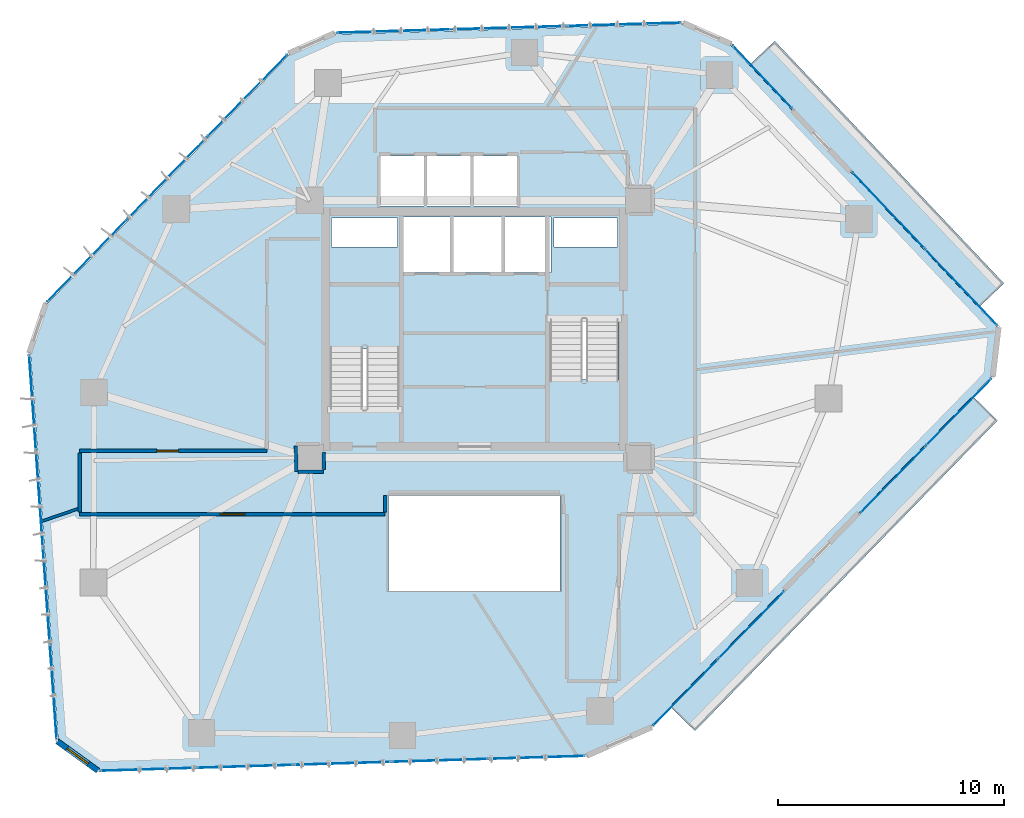
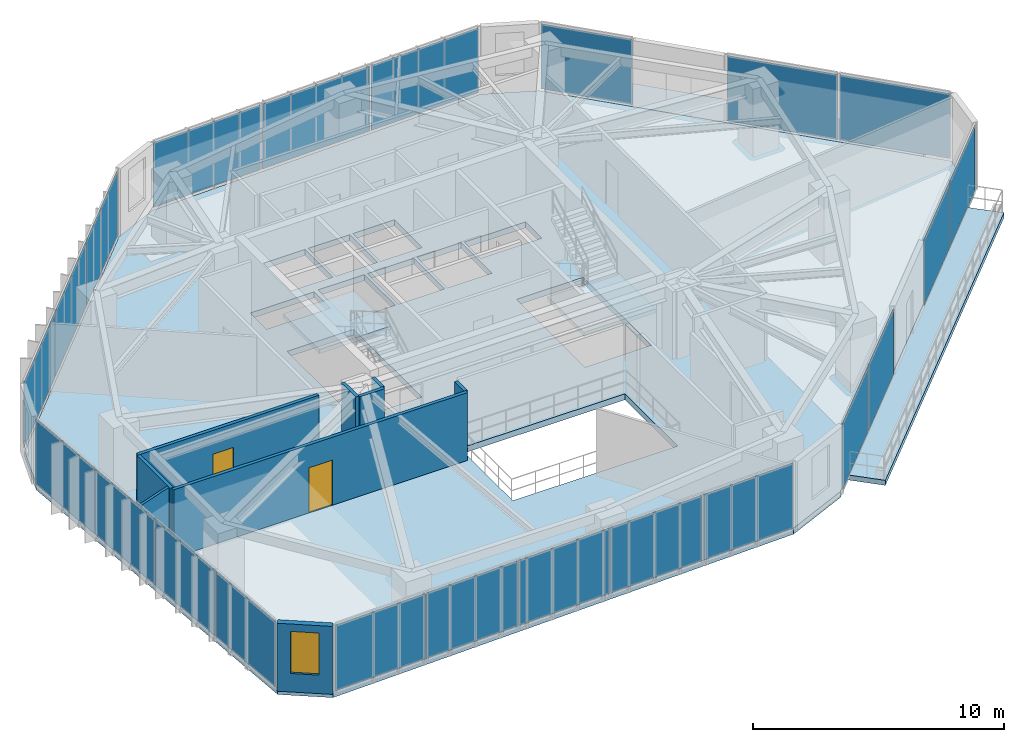
# One storey, part 17 of 23: 22 plates, 9 walls, 5 slabs, 2 doors, 1 window, 3 openings, 10 elements without a shape of their own.
"""IFC4 building model written with IfcOpenShell, lengths in metres."""

from ifc_helpers import new_model, si_unit, direction, frame, frame_2d, origin, origin_2d, place, context, subcontext, project, spatial, polyline, rectangle, outline, extrude, source, transform, mapped, material, layer, layer_set, type_object, type_shapes, element, fill, aggregate, save


model = new_model("IFC4")

# Units and contexts
model_context = context("Model", 3, precision=1e-05, world=origin(), true_north=direction((0.0, 1.0)))
body_context = subcontext(model_context, "Body", "Model", "MODEL_VIEW")
ifc_project = project(units=[si_unit("LENGTHUNIT", "METRE"), si_unit("AREAUNIT", "SQUARE_METRE"), si_unit("VOLUMEUNIT", "CUBIC_METRE"), si_unit("PLANEANGLEUNIT", "RADIAN"), si_unit("MASSUNIT", "GRAM", prefix="KILO")], contexts=[model_context])

# Site, building, storey
site_placement = place(None, origin())
site = spatial("IfcSite", under=ifc_project, at=site_placement, CompositionType="ELEMENT")
building_placement = place(site_placement, origin())
building = spatial("IfcBuilding", under=site, at=building_placement, Name="Talar Marvaseh", CompositionType="ELEMENT")
storey_placement = place(building_placement, frame((0.0, 0.0, 96.60009765625)))
storey = spatial("IfcBuildingStorey", under=building, at=storey_placement, Name="L24", CompositionType="ELEMENT", Elevation=96.60009765625)

# Slabs
ifc_material_1 = material(Name="Concrete C40/50", Category="concrete")
ifc_layer_1 = layer(ifc_material_1, 0.2451171875)
ifc_layer_set_1 = layer_set([ifc_layer_1], Name="Concrete C40/50")
slab_type_1 = type_object("IfcSlabType", Name="External Cantilevered Planted Terrace Slab 245", PredefinedType="FLOOR", material=ifc_layer_set_1)
slab_1_placement = place(storey_placement, frame((0.0, 0.0, -0.2451171875)))
element("IfcSlab", 1, at=slab_1_placement, inside=storey, type_object=slab_type_1, Name="L24 Planted Balcony Terrace 1", PredefinedType="FLOOR", context=body_context, shape_type="SweptSolid", body=[
    extrude(outline(polyline([(38.192138671875, 42.9111328125), (48.35595703125, 32.16455078125), (49.482177734375, 33.229736328125), (39.318115234375, 43.976318359375), (38.192138671875, 42.9111328125)])), origin(), (0.0, 0.0, 1.0), 0.2451171875),
])
slab_2_placement = place(storey_placement, frame((0.0, 0.0, -0.2451171875)))
element("IfcSlab", 2, at=slab_2_placement, inside=storey, type_object=slab_type_1, Name="L24 Planted Balcony Terrace 2", PredefinedType="FLOOR", context=body_context, shape_type="SweptSolid", body=[
    extrude(outline(polyline([(48.085205078125, 28.23193359375), (34.67333984375, 14.46826171875), (35.783447265625, 13.386474609375), (49.1953125, 27.150146484375), (48.085205078125, 28.23193359375)])), origin(), (0.0, 0.0, 1.0), 0.2451171875),
])

# Stair, slab
stair_type = type_object("IfcStairType", Name="Reinforced Concrete Half-Turn Exit Stair Type B", PredefinedType="HALF_TURN_STAIR", material=ifc_material_1)
stair_1_placement = place(storey_placement, origin())
stair_1 = element("IfcStair", 3, at=stair_1_placement, inside=storey, type_object=stair_type, Name="L24 Tower West Core Exit Stair", PredefinedType="HALF_TURN_STAIR")
ifc_layer_2 = layer(ifc_material_1, 0.199951171875)
ifc_layer_set_2 = layer_set([ifc_layer_2], Name="Concrete C40/50")
slab_type_2 = type_object("IfcSlabType", Name="Reinforced Concrete Stair Half-Landing Slab 200", PredefinedType="LANDING", material=ifc_layer_set_2)
slab_3_placement = place(storey_placement, frame((0.0, 0.0, 1.599853515625)))
slab_3 = element("IfcSlab", 4, at=slab_3_placement, type_object=slab_type_2, Name="ST-1 landing 1", PredefinedType="LANDING", context=body_context, shape_type="SweptSolid", body=[
    extrude(outline(polyline([(22.780029296875, 30.330078125), (22.780029296875, 33.219970703125), (19.47998046875, 33.219970703125), (19.47998046875, 30.330078125), (22.780029296875, 30.330078125)])), origin(), (0.0, 0.0, 1.0), 0.199951171875),
])
aggregate(stair_1, [slab_3])

stair_2_placement = place(storey_placement, origin())
stair_2 = element("IfcStair", 5, at=stair_2_placement, inside=storey, type_object=stair_type, Name="L24 Tower East Core Exit Stair", PredefinedType="HALF_TURN_STAIR")
slab_4_placement = place(storey_placement, frame((0.0, 0.0, 1.599853515625)))
slab_4 = element("IfcSlab", 6, at=slab_4_placement, type_object=slab_type_2, Name="ST-2 landing 1", PredefinedType="LANDING", context=body_context, shape_type="SweptSolid", body=[
    extrude(outline(polyline([(29.219970703125, 28.969970703125), (29.219970703125, 26.080078125), (32.52001953125, 26.080078125), (32.52001953125, 28.969970703125), (29.219970703125, 28.969970703125)])), origin(), (0.0, 0.0, 1.0), 0.199951171875),
])
aggregate(stair_2, [slab_4])

# Slab
ifc_layer_3 = layer(ifc_material_1, 0.2900390625)
ifc_layer_set_3 = layer_set([ifc_layer_3], Name="Concrete C40/50")
slab_type_3 = type_object("IfcSlabType", Name="Structural Suspended Floor Slab 290", PredefinedType="FLOOR", material=ifc_layer_set_3)
slab_5_placement = place(storey_placement, frame((0.0, 0.0, -0.2900390625)))
element("IfcSlab", 7, at=slab_5_placement, inside=storey, type_object=slab_type_3, Name="L24 Tower Floor Slab", PredefinedType="FLOOR", context=body_context, shape_type="SweptSolid", body=[
    extrude(outline(polyline([(9.34033203125, 11.674560546875), (7.543212890625, 12.971923828125), (6.315185546875, 30.11962890625), (7.0625, 32.337890625), (17.788818359375, 43.37451171875), (19.843505859375, 44.27880859375), (35.22705078125, 44.73046875), (37.367431640625, 43.782958984375), (49.180419921875, 31.292724609375), (48.9228515625, 29.09130859375), (33.835693359375, 13.60888671875), (30.94775390625, 12.338134765625), (9.34033203125, 11.674560546875)]), holes=[polyline([(22.659912109375, 27.64990234375), (22.659912109375, 33.10009765625), (19.60009765625, 33.10009765625), (19.60009765625, 27.64990234375), (22.659912109375, 27.64990234375)]), polyline([(29.340087890625, 31.64990234375), (29.340087890625, 26.199951171875), (32.39990234375, 26.199951171875), (32.39990234375, 31.64990234375), (29.340087890625, 31.64990234375)]), polyline([(22.800048828125, 33.719970703125), (24.93994140625, 33.719970703125), (24.93994140625, 36.179931640625), (22.800048828125, 36.179931640625), (22.800048828125, 33.719970703125)]), polyline([(25.080078125, 33.719970703125), (27.219970703125, 33.719970703125), (27.219970703125, 36.179931640625), (25.080078125, 36.179931640625), (25.080078125, 33.719970703125)]), polyline([(27.360107421875, 33.719970703125), (29.39990234375, 33.719970703125), (29.39990234375, 36.179931640625), (27.360107421875, 36.179931640625), (27.360107421875, 33.719970703125)]), polyline([(21.840087890625, 36.659912109375), (23.760009765625, 36.659912109375), (23.760009765625, 38.8798828125), (21.840087890625, 38.8798828125), (21.840087890625, 36.659912109375)]), polyline([(23.89990234375, 36.659912109375), (25.820068359375, 36.659912109375), (25.820068359375, 38.8798828125), (23.89990234375, 38.8798828125), (23.89990234375, 36.659912109375)]), polyline([(25.9599609375, 36.659912109375), (27.8798828125, 36.659912109375), (27.8798828125, 38.8798828125), (25.9599609375, 38.8798828125), (25.9599609375, 36.659912109375)]), polyline([(19.659912109375, 34.840087890625), (22.60009765625, 34.840087890625), (22.60009765625, 36.139892578125), (19.659912109375, 36.139892578125), (19.659912109375, 34.840087890625)]), polyline([(29.52001953125, 34.840087890625), (32.340087890625, 34.840087890625), (32.340087890625, 36.139892578125), (29.52001953125, 36.139892578125), (29.52001953125, 34.840087890625)]), polyline([(22.199951171875, 19.60009765625), (29.800048828125, 19.60009765625), (29.800048828125, 23.800048828125), (22.199951171875, 23.800048828125), (22.199951171875, 19.60009765625)])]), origin(), (0.0, 0.0, 1.0), 0.2900390625),
])

# Curtain wall, plates
ifc_material_2 = material(Name="Architectural Aluminium", Category="aluminium")
ifc_layer_4 = layer(ifc_material_2, 0.199951171875)
ifc_layer_set_4 = layer_set([ifc_layer_4], Name="Architectural Aluminium")
curtain_wall_type = type_object("IfcCurtainWallType", Name="Unitised Acoustic Library Curtain Wall Z2", PredefinedType="NOTDEFINED", material=ifc_layer_set_4)
curtain_wall_1_placement = place(storey_placement, origin())
curtain_wall_1 = element("IfcCurtainWall", 8, at=curtain_wall_1_placement, inside=storey, type_object=curtain_wall_type, Name="L24 Unitised Acoustic Library Curtain Wall Z2", PredefinedType="NOTDEFINED")
ifc_material_3 = material(Name="Laminated Low-E Solar Glass", Category="glass")
ifc_layer_5 = layer(ifc_material_3, 0.028076171875)
ifc_layer_set_5 = layer_set([ifc_layer_5], Name="Laminated Low-E Solar Glass")
plate_type = type_object("IfcPlateType", Name="Double-Glazed Low-E Vision Curtain Panel 28", PredefinedType="CURTAIN_PANEL", material=ifc_layer_set_5)
shared_shape_1 = source(origin(), body_context, "Body", "SweptSolid", [
    extrude(rectangle(XDim=4.185302734375, YDim=0.028076171875, at=origin_2d()), origin(), (0.0, 0.0, 1.0), 3.159912109375),
])
plate_1_placement = place(storey_placement, frame((7.328369140625, 15.1298828125, 0.07470703125), z_axis=(0.0, 0.0, 1.0), x_axis=(-0.071430174316, 0.997445602626, 0.0)))
plate_1 = element("IfcPlate", 9, at=plate_1_placement, type_object=plate_type, Name="CW-Z2 panel 1.1", PredefinedType="CURTAIN_PANEL", context=body_context, shape_type="MappedRepresentation", body=[
    mapped(shared_shape_1, transform((0.0, 0.0, 0.0), x_axis=(1.0, 0.0, 0.0), y_axis=(0.0, 1.0, 0.0), z_axis=(0.0, 0.0, 1.0), scale=1.0)),
])
plate_2_placement = place(storey_placement, frame((6.41015625, 27.953125, 0.07470703125), z_axis=(0.0, 0.0, 1.0), x_axis=(-0.071430174316, 0.997445602626, 0.0)))
plate_2 = element("IfcPlate", 10, at=plate_2_placement, type_object=plate_type, Name="CW-Z2 panel 4.1", PredefinedType="CURTAIN_PANEL", context=body_context, shape_type="MappedRepresentation", body=[
    mapped(shared_shape_1, transform((0.0, 0.0, 0.0), x_axis=(1.0, 0.0, 0.0), y_axis=(0.0, 1.0, 0.0), z_axis=(0.0, 0.0, 1.0), scale=1.0)),
])
shared_shape_2 = source(origin(), body_context, "Body", "SweptSolid", [
    extrude(rectangle(XDim=4.222900390625, YDim=0.028076171875, at=origin_2d()), origin(), (0.0, 0.0, 1.0), 3.159912109375),
])
plate_3_placement = place(storey_placement, frame((7.022705078125, 19.39794921875, 0.07470703125), z_axis=(0.0, 0.0, 1.0), x_axis=(-0.071430174316, 0.997445602626, 0.0)))
plate_3 = element("IfcPlate", 11, at=plate_3_placement, type_object=plate_type, Name="CW-Z2 panel 2.1", PredefinedType="CURTAIN_PANEL", context=body_context, shape_type="MappedRepresentation", body=[
    mapped(shared_shape_2, transform((0.0, 0.0, 0.0), x_axis=(1.0, 0.0, 0.0), y_axis=(0.0, 1.0, 0.0), z_axis=(0.0, 0.0, 1.0), scale=1.0)),
])
plate_4_placement = place(storey_placement, frame((6.7158203125, 23.684814453125, 0.07470703125), z_axis=(0.0, 0.0, 1.0), x_axis=(-0.071430174316, 0.997445602626, 0.0)))
plate_4 = element("IfcPlate", 12, at=plate_4_placement, type_object=plate_type, Name="CW-Z2 panel 3.1", PredefinedType="CURTAIN_PANEL", context=body_context, shape_type="MappedRepresentation", body=[
    mapped(shared_shape_2, transform((0.0, 0.0, 0.0), x_axis=(1.0, 0.0, 0.0), y_axis=(0.0, 1.0, 0.0), z_axis=(0.0, 0.0, 1.0), scale=1.0)),
])
aggregate(curtain_wall_1, [plate_1, plate_3, plate_4, plate_2])

curtain_wall_2_placement = place(storey_placement, origin())
curtain_wall_2 = element("IfcCurtainWall", 13, at=curtain_wall_2_placement, inside=storey, type_object=curtain_wall_type, Name="L24 Unitised Acoustic Library Curtain Wall Z2", PredefinedType="NOTDEFINED")
shared_shape_3 = source(origin(), body_context, "Body", "SweptSolid", [
    extrude(rectangle(XDim=5.017578125, YDim=0.028076171875, at=origin_2d()), origin(), (0.0, 0.0, 1.0), 3.159912109375),
])
plate_5_placement = place(storey_placement, frame((8.8203125, 34.232421875, 0.07470703125), z_axis=(0.0, 0.0, 1.0), x_axis=(0.696943933137, 0.717125619445, 0.0)))
plate_5 = element("IfcPlate", 14, at=plate_5_placement, type_object=plate_type, Name="CW-Z2 panel 1.1", PredefinedType="CURTAIN_PANEL", context=body_context, shape_type="MappedRepresentation", body=[
    mapped(shared_shape_3, transform((0.0, 0.0, 0.0), x_axis=(1.0, 0.0, 0.0), y_axis=(0.0, 1.0, 0.0), z_axis=(0.0, 0.0, 1.0), scale=1.0)),
])
plate_6_placement = place(storey_placement, frame((15.945068359375, 41.5634765625, 0.07470703125), z_axis=(0.0, 0.0, 1.0), x_axis=(0.696943933137, 0.717125619445, 0.0)))
plate_6 = element("IfcPlate", 15, at=plate_6_placement, type_object=plate_type, Name="CW-Z2 panel 3.1", PredefinedType="CURTAIN_PANEL", context=body_context, shape_type="MappedRepresentation", body=[
    mapped(shared_shape_3, transform((0.0, 0.0, 0.0), x_axis=(1.0, 0.0, 0.0), y_axis=(0.0, 1.0, 0.0), z_axis=(0.0, 0.0, 1.0), scale=1.0)),
])

curtain_wall_3_placement = place(storey_placement, origin())
curtain_wall_3 = element("IfcCurtainWall", 16, at=curtain_wall_3_placement, inside=storey, type_object=curtain_wall_type, Name="L24 Unitised Acoustic Library Curtain Wall Z2", PredefinedType="NOTDEFINED")
plate_7_placement = place(storey_placement, frame((22.424560546875, 44.41455078125, 0.07470703125), z_axis=(0.0, 0.0, 1.0), x_axis=(0.999569005917, 0.029356471338, 0.0)))
plate_7 = element("IfcPlate", 17, at=plate_7_placement, type_object=plate_type, Name="CW-Z2 panel 1.1", PredefinedType="CURTAIN_PANEL", context=body_context, shape_type="MappedRepresentation", body=[
    mapped(shared_shape_3, transform((0.0, 0.0, 0.0), x_axis=(1.0, 0.0, 0.0), y_axis=(0.0, 1.0, 0.0), z_axis=(0.0, 0.0, 1.0), scale=1.0)),
])
plate_8_placement = place(storey_placement, frame((32.642578125, 44.714599609375, 0.07470703125), z_axis=(0.0, 0.0, 1.0), x_axis=(0.999569005917, 0.029356471338, 0.0)))
plate_8 = element("IfcPlate", 18, at=plate_8_placement, type_object=plate_type, Name="CW-Z2 panel 3.1", PredefinedType="CURTAIN_PANEL", context=body_context, shape_type="MappedRepresentation", body=[
    mapped(shared_shape_3, transform((0.0, 0.0, 0.0), x_axis=(1.0, 0.0, 0.0), y_axis=(0.0, 1.0, 0.0), z_axis=(0.0, 0.0, 1.0), scale=1.0)),
])
shared_shape_4 = source(origin(), body_context, "Body", "SweptSolid", [
    extrude(rectangle(XDim=5.054931640625, YDim=0.028076171875, at=origin_2d()), origin(), (0.0, 0.0, 1.0), 3.159912109375),
])
plate_9_placement = place(storey_placement, frame((27.533447265625, 44.564697265625, 0.07470703125), z_axis=(0.0, 0.0, 1.0), x_axis=(0.999569005917, 0.029356471338, 0.0)))
plate_9 = element("IfcPlate", 19, at=plate_9_placement, type_object=plate_type, Name="CW-Z2 panel 2.1", PredefinedType="CURTAIN_PANEL", context=body_context, shape_type="MappedRepresentation", body=[
    mapped(shared_shape_4, transform((0.0, 0.0, 0.0), x_axis=(1.0, 0.0, 0.0), y_axis=(0.0, 1.0, 0.0), z_axis=(0.0, 0.0, 1.0), scale=1.0)),
])
aggregate(curtain_wall_3, [plate_7, plate_9, plate_8])

# Plate
shared_shape_5 = source(origin(), body_context, "Body", "SweptSolid", [
    extrude(rectangle(XDim=5.05517578125, YDim=0.028076171875, at=origin_2d()), origin(), (0.0, 0.0, 1.0), 3.159912109375),
])
plate_10_placement = place(storey_placement, frame((12.382568359375, 37.89794921875, 0.07470703125), z_axis=(0.0, 0.0, 1.0), x_axis=(0.696943933137, 0.717125619445, 0.0)))
plate_10 = element("IfcPlate", 20, at=plate_10_placement, type_object=plate_type, Name="CW-Z2 panel 2.1", PredefinedType="CURTAIN_PANEL", context=body_context, shape_type="MappedRepresentation", body=[
    mapped(shared_shape_5, transform((0.0, 0.0, 0.0), x_axis=(1.0, 0.0, 0.0), y_axis=(0.0, 1.0, 0.0), z_axis=(0.0, 0.0, 1.0), scale=1.0)),
])

aggregate(curtain_wall_2, [plate_5, plate_10, plate_6])

# Curtain wall, plates
curtain_wall_4_placement = place(storey_placement, origin())
curtain_wall_4 = element("IfcCurtainWall", 21, at=curtain_wall_4_placement, inside=storey, type_object=curtain_wall_type, Name="L24 Unitised Acoustic Library Curtain Wall Z2", PredefinedType="NOTDEFINED")
shared_shape_6 = source(origin(), body_context, "Body", "SweptSolid", [
    extrude(rectangle(XDim=4.2109375, YDim=0.028076171875, at=origin_2d()), origin(), (0.0, 0.0, 1.0), 3.159912109375),
])
plate_11_placement = place(storey_placement, frame((28.77001953125, 12.211181640625, 0.07470703125), z_axis=(0.0, 0.0, 1.0), x_axis=(-0.999528871, -0.030692605579, 0.0)))
plate_11 = element("IfcPlate", 22, at=plate_11_placement, type_object=plate_type, Name="CW-Z2 panel 1.1", PredefinedType="CURTAIN_PANEL", context=body_context, shape_type="MappedRepresentation", body=[
    mapped(shared_shape_6, transform((0.0, 0.0, 0.0), x_axis=(1.0, 0.0, 0.0), y_axis=(0.0, 1.0, 0.0), z_axis=(0.0, 0.0, 1.0), scale=1.0)),
])
plate_12_placement = place(storey_placement, frame((11.521728515625, 11.681640625, 0.07470703125), z_axis=(0.0, 0.0, 1.0), x_axis=(-0.999528871, -0.030692605579, 0.0)))
plate_12 = element("IfcPlate", 23, at=plate_12_placement, type_object=plate_type, Name="CW-Z2 panel 5.1", PredefinedType="CURTAIN_PANEL", context=body_context, shape_type="MappedRepresentation", body=[
    mapped(shared_shape_6, transform((0.0, 0.0, 0.0), x_axis=(1.0, 0.0, 0.0), y_axis=(0.0, 1.0, 0.0), z_axis=(0.0, 0.0, 1.0), scale=1.0)),
])
shared_shape_7 = source(origin(), body_context, "Body", "SweptSolid", [
    extrude(rectangle(XDim=4.24853515625, YDim=0.028076171875, at=origin_2d()), origin(), (0.0, 0.0, 1.0), 3.159912109375),
])
plate_13_placement = place(storey_placement, frame((24.46728515625, 12.0791015625, 0.07470703125), z_axis=(0.0, 0.0, 1.0), x_axis=(-0.999528871, -0.030692605579, 0.0)))
plate_13 = element("IfcPlate", 24, at=plate_13_placement, type_object=plate_type, Name="CW-Z2 panel 2.1", PredefinedType="CURTAIN_PANEL", context=body_context, shape_type="MappedRepresentation", body=[
    mapped(shared_shape_7, transform((0.0, 0.0, 0.0), x_axis=(1.0, 0.0, 0.0), y_axis=(0.0, 1.0, 0.0), z_axis=(0.0, 0.0, 1.0), scale=1.0)),
])
plate_14_placement = place(storey_placement, frame((20.14599609375, 11.9462890625, 0.07470703125), z_axis=(0.0, 0.0, 1.0), x_axis=(-0.999528871, -0.030692605579, 0.0)))
plate_14 = element("IfcPlate", 25, at=plate_14_placement, type_object=plate_type, Name="CW-Z2 panel 3.1", PredefinedType="CURTAIN_PANEL", context=body_context, shape_type="MappedRepresentation", body=[
    mapped(shared_shape_7, transform((0.0, 0.0, 0.0), x_axis=(1.0, 0.0, 0.0), y_axis=(0.0, 1.0, 0.0), z_axis=(0.0, 0.0, 1.0), scale=1.0)),
])
plate_15_placement = place(storey_placement, frame((15.824462890625, 11.813720703125, 0.07470703125), z_axis=(0.0, 0.0, 1.0), x_axis=(-0.999528871, -0.030692605579, 0.0)))
plate_15 = element("IfcPlate", 26, at=plate_15_placement, type_object=plate_type, Name="CW-Z2 panel 4.1", PredefinedType="CURTAIN_PANEL", context=body_context, shape_type="MappedRepresentation", body=[
    mapped(shared_shape_7, transform((0.0, 0.0, 0.0), x_axis=(1.0, 0.0, 0.0), y_axis=(0.0, 1.0, 0.0), z_axis=(0.0, 0.0, 1.0), scale=1.0)),
])
aggregate(curtain_wall_4, [plate_11, plate_13, plate_14, plate_15, plate_12])

# Curtain wall, plate
curtain_wall_5_placement = place(storey_placement, origin())
curtain_wall_5 = element("IfcCurtainWall", 27, at=curtain_wall_5_placement, inside=storey, type_object=curtain_wall_type, Name="L24 Unitised Acoustic Library Curtain Wall Z2", PredefinedType="NOTDEFINED")
shared_shape_8 = source(origin(), body_context, "Body", "SweptSolid", [
    extrude(rectangle(XDim=3.803955078125, YDim=0.028076171875, at=origin_2d()), origin(), (0.0, 0.0, 1.0), 3.159912109375),
])
plate_16_placement = place(storey_placement, frame((38.76953125, 42.387939453125, 0.07470703125), z_axis=(0.0, 0.0, 1.0), x_axis=(0.687143937714, -0.726521306545, 0.0)))
plate_16 = element("IfcPlate", 28, at=plate_16_placement, type_object=plate_type, Name="CW-Z2 panel 1.1", PredefinedType="CURTAIN_PANEL", context=body_context, shape_type="MappedRepresentation", body=[
    mapped(shared_shape_8, transform((0.0, 0.0, 0.0), x_axis=(1.0, 0.0, 0.0), y_axis=(0.0, 1.0, 0.0), z_axis=(0.0, 0.0, 1.0), scale=1.0)),
])
aggregate(curtain_wall_5, [plate_16])

# Curtain wall, plates
curtain_wall_6_placement = place(storey_placement, origin())
curtain_wall_6 = element("IfcCurtainWall", 29, at=curtain_wall_6_placement, inside=storey, type_object=curtain_wall_type, Name="L24 Unitised Acoustic Library Curtain Wall Z2", PredefinedType="NOTDEFINED")
shared_shape_9 = source(origin(), body_context, "Body", "SweptSolid", [
    extrude(rectangle(XDim=4.615234375, YDim=0.028076171875, at=origin_2d()), origin(), (0.0, 0.0, 1.0), 3.159912109375),
])
plate_17_placement = place(storey_placement, frame((44.3642578125, 36.47265625, 0.07470703125), z_axis=(0.0, 0.0, 1.0), x_axis=(0.687134531746, -0.726530202595, 0.0)))
plate_17 = element("IfcPlate", 30, at=plate_17_placement, type_object=plate_type, Name="CW-Z2 panel 1.1", PredefinedType="CURTAIN_PANEL", context=body_context, shape_type="MappedRepresentation", body=[
    mapped(shared_shape_9, transform((0.0, 0.0, 0.0), x_axis=(1.0, 0.0, 0.0), y_axis=(0.0, 1.0, 0.0), z_axis=(0.0, 0.0, 1.0), scale=1.0)),
])
plate_18_placement = place(storey_placement, frame((47.5869140625, 33.06494140625, 0.07470703125), z_axis=(0.0, 0.0, 1.0), x_axis=(0.687134531746, -0.726530202595, 0.0)))
plate_18 = element("IfcPlate", 31, at=plate_18_placement, type_object=plate_type, Name="CW-Z2 panel 2.1", PredefinedType="CURTAIN_PANEL", context=body_context, shape_type="MappedRepresentation", body=[
    mapped(shared_shape_9, transform((0.0, 0.0, 0.0), x_axis=(1.0, 0.0, 0.0), y_axis=(0.0, 1.0, 0.0), z_axis=(0.0, 0.0, 1.0), scale=1.0)),
])
aggregate(curtain_wall_6, [plate_17, plate_18])

curtain_wall_7_placement = place(storey_placement, origin())
curtain_wall_7 = element("IfcCurtainWall", 32, at=curtain_wall_7_placement, inside=storey, type_object=curtain_wall_type, Name="L24 Unitised Acoustic Library Curtain Wall Z2", PredefinedType="NOTDEFINED")
shared_shape_10 = source(origin(), body_context, "Body", "SweptSolid", [
    extrude(rectangle(XDim=4.10302734375, YDim=0.028076171875, at=origin_2d()), origin(), (0.0, 0.0, 1.0), 3.159912109375),
])
type_shapes(plate_type, [shared_shape_1, shared_shape_2, shared_shape_3, shared_shape_4, shared_shape_5, shared_shape_6, shared_shape_7, shared_shape_8, shared_shape_9, shared_shape_10])
plate_19_placement = place(storey_placement, frame((47.481689453125, 27.5263671875, 0.07470703125), z_axis=(0.0, 0.0, 1.0), x_axis=(-0.697896709245, -0.716198424478, 0.0)))
plate_19 = element("IfcPlate", 33, at=plate_19_placement, type_object=plate_type, Name="CW-Z2 panel 1.1", PredefinedType="CURTAIN_PANEL", context=body_context, shape_type="MappedRepresentation", body=[
    mapped(shared_shape_10, transform((0.0, 0.0, 0.0), x_axis=(1.0, 0.0, 0.0), y_axis=(0.0, 1.0, 0.0), z_axis=(0.0, 0.0, 1.0), scale=1.0)),
])
plate_20_placement = place(storey_placement, frame((44.56591796875, 24.5341796875, 0.07470703125), z_axis=(0.0, 0.0, 1.0), x_axis=(-0.697896709245, -0.716198424478, 0.0)))
plate_20 = element("IfcPlate", 34, at=plate_20_placement, type_object=plate_type, Name="CW-Z2 panel 2.1", PredefinedType="CURTAIN_PANEL", context=body_context, shape_type="MappedRepresentation", body=[
    mapped(shared_shape_10, transform((0.0, 0.0, 0.0), x_axis=(1.0, 0.0, 0.0), y_axis=(0.0, 1.0, 0.0), z_axis=(0.0, 0.0, 1.0), scale=1.0)),
])
aggregate(curtain_wall_7, [plate_19, plate_20])

curtain_wall_8_placement = place(storey_placement, origin())
curtain_wall_8 = element("IfcCurtainWall", 35, at=curtain_wall_8_placement, inside=storey, type_object=curtain_wall_type, Name="L24 Unitised Acoustic Library Curtain Wall Z2", PredefinedType="NOTDEFINED")
plate_21_placement = place(storey_placement, frame((38.278564453125, 18.08203125, 0.07470703125), z_axis=(0.0, 0.0, 1.0), x_axis=(-0.697896709245, -0.716198424478, 0.0)))
plate_21 = element("IfcPlate", 36, at=plate_21_placement, type_object=plate_type, Name="CW-Z2 panel 1.1", PredefinedType="CURTAIN_PANEL", context=body_context, shape_type="MappedRepresentation", body=[
    mapped(shared_shape_10, transform((0.0, 0.0, 0.0), x_axis=(1.0, 0.0, 0.0), y_axis=(0.0, 1.0, 0.0), z_axis=(0.0, 0.0, 1.0), scale=1.0)),
])
plate_22_placement = place(storey_placement, frame((35.36279296875, 15.08984375, 0.07470703125), z_axis=(0.0, 0.0, 1.0), x_axis=(-0.697896709245, -0.716198424478, 0.0)))
plate_22 = element("IfcPlate", 37, at=plate_22_placement, type_object=plate_type, Name="CW-Z2 panel 2.1", PredefinedType="CURTAIN_PANEL", context=body_context, shape_type="MappedRepresentation", body=[
    mapped(shared_shape_10, transform((0.0, 0.0, 0.0), x_axis=(1.0, 0.0, 0.0), y_axis=(0.0, 1.0, 0.0), z_axis=(0.0, 0.0, 1.0), scale=1.0)),
])
aggregate(curtain_wall_8, [plate_21, plate_22])

# Wall, opening, window
ifc_material_4 = material(Name="Precast concrete C45/55", Category="concrete")
ifc_layer_6 = layer(ifc_material_4, 0.2548828125)
ifc_layer_set_6 = layer_set([ifc_layer_6], Name="Precast concrete C45/55")
wall_type_1 = type_object("IfcWallType", Name="Chamfered Hexagonal Corner Pier Wall Z2 255", PredefinedType="SOLIDWALL", material=ifc_layer_set_6)
wall_1_placement = place(storey_placement, frame((9.305419921875, 11.6259765625, 0.0), z_axis=(0.0, 0.0, 1.0), x_axis=(-0.810888296006, 0.585200966678, 0.0)))
wall_1 = element("IfcWall", 38, at=wall_1_placement, inside=storey, type_object=wall_type_1, Name="L24 Chamfered Corner Limestone Pier 1", PredefinedType="SOLIDWALL", context=body_context, shape_type="SweptSolid", body=[
    extrude(rectangle(XDim=2.216552734375, YDim=0.2548828125, at=frame_2d((1.1083984375, 0.0))), origin(), (0.0, 0.0, 1.0), 3.309814453125),
])
opening_1_placement = place(wall_1_placement, frame((0.532958984375, 0.0, 0.89990234375)))
opening_1 = element("IfcOpeningElement", 39, at=opening_1_placement, cuts=wall_1, Name="Opening WN-CHM11", PredefinedType="OPENING", context=body_context, shape_type="SweptSolid", body=[
    extrude(rectangle(XDim=1.14990234375, YDim=2.050048828125, at=frame_2d((0.574951171875, 1.02490234375))), frame((0.0, 0.137451171875, 0.0), z_axis=(0.0, -1.0, 0.0), x_axis=(1.0, 0.0, 0.0)), (0.0, 0.0, 1.0), 0.27490234375),
])
window_type = type_object("IfcWindowType", Name="Zone 2 Chamfered Corner Slot Window 1150x2050", PartitioningType="SINGLE_PANEL", PredefinedType="WINDOW", material=ifc_material_3)
shared_shape_11 = source(origin(), body_context, "Body", "SweptSolid", [
    extrude(rectangle(XDim=1.14990234375, YDim=2.050048828125, at=frame_2d((0.574951171875, 1.02490234375))), frame((0.0, 0.030029296875, 0.0), z_axis=(0.0, -1.0, 0.0), x_axis=(1.0, 0.0, 0.0)), (0.0, 0.0, 1.0), 0.06005859375),
])
type_shapes(window_type, [shared_shape_11])
window_placement = place(opening_1_placement, origin())
window = element("IfcWindow", 40, at=window_placement, inside=storey, type_object=window_type, Name="L24 Chamfered Corner Slot Window", OverallHeight=2.050048828125, OverallWidth=1.14990234375, PartitioningType="SINGLE_PANEL", PredefinedType="WINDOW", context=body_context, shape_type="MappedRepresentation", body=[
    mapped(shared_shape_11, transform((0.0, 0.0, 0.0), x_axis=(1.0, 0.0, 0.0), y_axis=(0.0, 1.0, 0.0), z_axis=(0.0, 0.0, 1.0), scale=1.0)),
])
fill(opening_1, window)

# Wall, opening, door
ifc_material_5 = material(Name="Gypsum Board Partition Assembly")
ifc_layer_7 = layer(ifc_material_5, 0.155029296875)
ifc_layer_set_7 = layer_set([ifc_layer_7], Name="Gypsum Board Partition Assembly")
wall_type_2 = type_object("IfcWallType", Name="Corridor Fire-Rated Acoustic Partition 155", PredefinedType="PARTITIONING", material=ifc_layer_set_7)
wall_2_placement = place(storey_placement, frame((22.0400390625, 23.0, 0.0), z_axis=(0.0, 0.0, 1.0), x_axis=(-1.0, 0.0, 0.0)))
wall_2 = element("IfcWall", 41, at=wall_2_placement, inside=storey, type_object=wall_type_2, Name="L24 Interior Partition Wall", PredefinedType="PARTITIONING", context=body_context, shape_type="SweptSolid", body=[
    extrude(rectangle(XDim=13.5400390625, YDim=0.155029296875, at=frame_2d((6.77001953125, 0.0))), origin(), (0.0, 0.0, 1.0), 3.309814453125),
])
opening_2_placement = place(wall_2_placement, frame((6.219970703125, 0.0, 0.0)))
opening_2 = element("IfcOpeningElement", 42, at=opening_2_placement, cuts=wall_2, Name="Opening DR-RM110", PredefinedType="OPENING", context=body_context, shape_type="SweptSolid", body=[
    extrude(rectangle(XDim=1.10009765625, YDim=2.199951171875, at=frame_2d((0.550048828125, 1.10009765625))), frame((0.0, 0.08740234375, 0.0), z_axis=(0.0, -1.0, 0.0), x_axis=(1.0, 0.0, 0.0)), (0.0, 0.0, 1.0), 0.175048828125),
])
ifc_material_6 = material(Name="Acoustic Engineered Oak Timber", Category="wood")
door_type_1 = type_object("IfcDoorType", Name="Assembly and Reading Hall Door 1100x2200", OperationType="NOTDEFINED", PredefinedType="DOOR", material=ifc_material_6)
shared_shape_12 = source(origin(), body_context, "Body", "SweptSolid", [
    extrude(rectangle(XDim=1.10009765625, YDim=2.199951171875, at=frame_2d((0.550048828125, 1.10009765625))), frame((0.0, 0.02490234375, 0.0), z_axis=(0.0, -1.0, 0.0), x_axis=(1.0, 0.0, 0.0)), (0.0, 0.0, 1.0), 0.050048828125),
])
type_shapes(door_type_1, [shared_shape_12])
door_1_placement = place(opening_2_placement, origin())
door_1 = element("IfcDoor", 43, at=door_1_placement, inside=storey, type_object=door_type_1, Name="L24 Exhibition Gallery Door", OperationType="SINGLE_SWING_LEFT", OverallHeight=2.199951171875, OverallWidth=1.10009765625, PredefinedType="DOOR", context=body_context, shape_type="MappedRepresentation", body=[
    mapped(shared_shape_12, transform((0.0, 0.0, 0.0), x_axis=(1.0, 0.0, 0.0), y_axis=(0.0, 1.0, 0.0), z_axis=(0.0, 0.0, 1.0), scale=1.0)),
])
fill(opening_2, door_1)

wall_3_placement = place(storey_placement, frame((8.5, 25.800048828125, 0.0), z_axis=(0.0, 0.0, 1.0), x_axis=(1.0, 0.0, 0.0)))
wall_3 = element("IfcWall", 44, at=wall_3_placement, inside=storey, type_object=wall_type_2, Name="L24 Interior Partition Wall", PredefinedType="PARTITIONING", context=body_context, shape_type="SweptSolid", body=[
    extrude(rectangle(XDim=8.300048828125, YDim=0.155029296875, at=frame_2d((4.14990234375, 0.0))), origin(), (0.0, 0.0, 1.0), 3.309814453125),
])
opening_3_placement = place(wall_3_placement, frame((3.42138671875, 0.0, 0.0)))
opening_3 = element("IfcOpeningElement", 45, at=opening_3_placement, cuts=wall_3, Name="Opening DR-WC095", PredefinedType="OPENING", context=body_context, shape_type="SweptSolid", body=[
    extrude(rectangle(XDim=0.949951171875, YDim=2.14990234375, at=frame_2d((0.47509765625, 1.074951171875))), frame((0.0, 0.08740234375, 0.0), z_axis=(0.0, -1.0, 0.0), x_axis=(1.0, 0.0, 0.0)), (0.0, 0.0, 1.0), 0.175048828125),
])
door_type_2 = type_object("IfcDoorType", Name="Washroom and Service Room Door 950x2150", OperationType="NOTDEFINED", PredefinedType="DOOR", material=ifc_material_6)
shared_shape_13 = source(origin(), body_context, "Body", "SweptSolid", [
    extrude(rectangle(XDim=0.949951171875, YDim=2.14990234375, at=frame_2d((0.47509765625, 1.074951171875))), frame((0.0, 0.02490234375, 0.0), z_axis=(0.0, -1.0, 0.0), x_axis=(1.0, 0.0, 0.0)), (0.0, 0.0, 1.0), 0.050048828125),
])
type_shapes(door_type_2, [shared_shape_13])
door_2_placement = place(opening_3_placement, origin())
door_2 = element("IfcDoor", 46, at=door_2_placement, inside=storey, type_object=door_type_2, Name="L24 Accessible WC Block Door", OperationType="SINGLE_SWING_RIGHT", OverallHeight=2.14990234375, OverallWidth=0.949951171875, PredefinedType="DOOR", context=body_context, shape_type="MappedRepresentation", body=[
    mapped(shared_shape_13, transform((0.0, 0.0, 0.0), x_axis=(1.0, 0.0, 0.0), y_axis=(0.0, 1.0, 0.0), z_axis=(0.0, 0.0, 1.0), scale=1.0)),
])
fill(opening_3, door_2)

# Walls
wall_4_placement = place(storey_placement, frame((22.043212890625, 23.831298828125, 0.0), z_axis=(0.0, 0.0, 1.0), x_axis=(-0.003917697652, -0.999992325793, 0.0)))
element("IfcWall", 47, at=wall_4_placement, inside=storey, type_object=wall_type_2, Name="L24 Interior Partition Wall", PredefinedType="PARTITIONING", context=body_context, shape_type="SweptSolid", body=[
    extrude(rectangle(XDim=0.747802734375, YDim=0.155029296875, at=frame_2d((0.3740234375, 0.0))), origin(), (0.0, 0.0, 1.0), 3.309814453125),
])
wall_5_placement = place(storey_placement, frame((8.5, 23.08349609375, 0.0), z_axis=(0.0, 0.0, 1.0), x_axis=(0.0, 1.0, 0.0)))
element("IfcWall", 48, at=wall_5_placement, inside=storey, type_object=wall_type_2, Name="L24 Interior Partition Wall", PredefinedType="PARTITIONING", context=body_context, shape_type="SweptSolid", body=[
    extrude(rectangle(XDim=2.633056640625, YDim=0.155029296875, at=frame_2d((1.31640625, 0.0))), origin(), (0.0, 0.0, 1.0), 3.309814453125),
])
wall_6_placement = place(storey_placement, frame((18.088623046875, 26.02587890625, 0.0), z_axis=(0.0, 0.0, 1.0), x_axis=(0.002787893948, -0.999996113816, 0.0)))
element("IfcWall", 49, at=wall_6_placement, inside=storey, type_object=wall_type_2, Name="L24 Interior Partition Wall", PredefinedType="PARTITIONING", context=body_context, shape_type="SweptSolid", body=[
    extrude(rectangle(XDim=1.138427734375, YDim=0.155029296875, at=frame_2d((0.5693359375, 0.0))), origin(), (0.0, 0.0, 1.0), 3.309814453125),
])
wall_7_placement = place(storey_placement, frame((18.17529296875, 24.8876953125, 0.0), z_axis=(0.0, 0.0, 1.0), x_axis=(0.999999791525, 0.000645716611, 0.0)))
element("IfcWall", 50, at=wall_7_placement, inside=storey, type_object=wall_type_2, Name="L24 Interior Partition Wall", PredefinedType="PARTITIONING", context=body_context, shape_type="SweptSolid", body=[
    extrude(rectangle(XDim=1.13427734375, YDim=0.155029296875, at=frame_2d((0.567138671875, 0.0))), origin(), (0.0, 0.0, 1.0), 3.309814453125),
])
wall_8_placement = place(storey_placement, frame((19.31005859375, 24.971923828125, 0.0), z_axis=(0.0, 0.0, 1.0), x_axis=(0.006441090216, 0.999979255963, 0.0)))
element("IfcWall", 51, at=wall_8_placement, inside=storey, type_object=wall_type_2, Name="L24 Interior Partition Wall", PredefinedType="PARTITIONING", context=body_context, shape_type="SweptSolid", body=[
    extrude(rectangle(XDim=0.758056640625, YDim=0.155029296875, at=frame_2d((0.37890625, 0.0))), origin(), (0.0, 0.0, 1.0), 3.309814453125),
])
ifc_layer_8 = layer(ifc_material_5, 0.1201171875)
ifc_layer_set_8 = layer_set([ifc_layer_8], Name="Gypsum Board Partition Assembly")
wall_type_3 = type_object("IfcWallType", Name="Demountable Studio Room Partition 120", PredefinedType="PARTITIONING", material=ifc_layer_set_8)
wall_9_placement = place(storey_placement, frame((6.811767578125, 22.6826171875, 0.0), z_axis=(0.0, 0.0, 1.0), x_axis=(0.946192985635, 0.323602895437, 0.0)))
element("IfcWall", 52, at=wall_9_placement, inside=storey, type_object=wall_type_3, Name="L24 Interior Partition Wall", PredefinedType="PARTITIONING", context=body_context, shape_type="SweptSolid", body=[
    extrude(rectangle(XDim=1.696044921875, YDim=0.1201171875, at=frame_2d((0.84814453125, 0.0))), origin(), (0.0, 0.0, 1.0), 3.309814453125),
])

save(model, "model.ifc")
